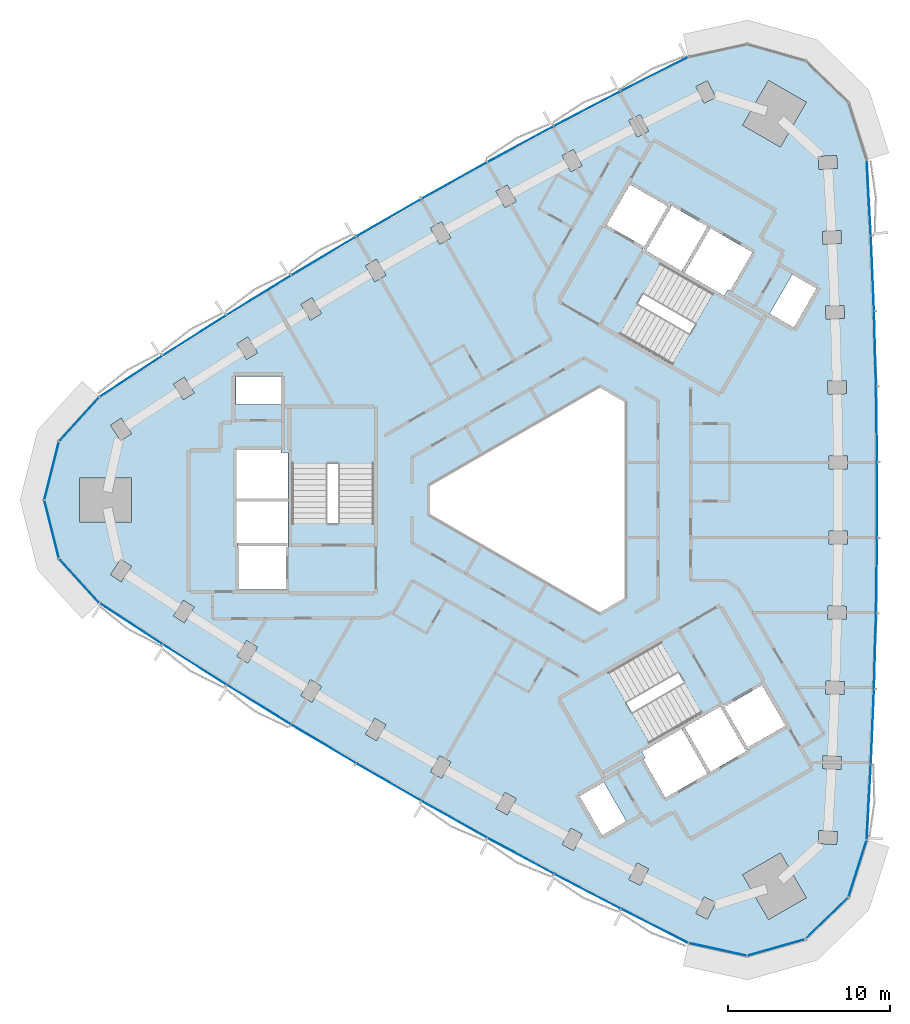
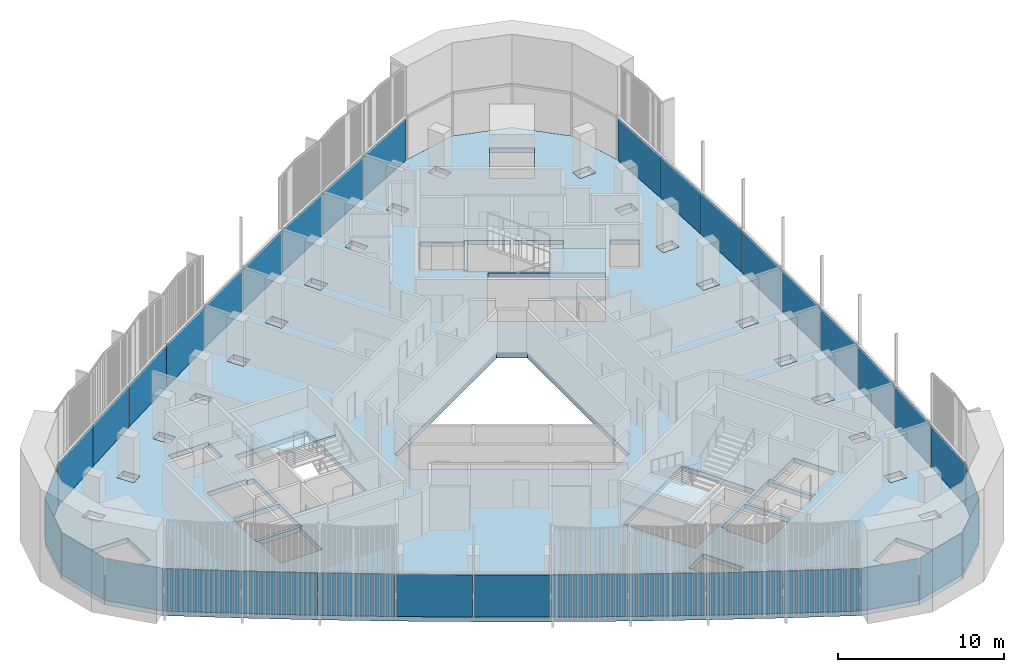
# One storey, part 6 of 14: 35 plates, 4 slabs, 6 elements without a shape of their own.
"""IFC4 building model written with IfcOpenShell, lengths in metres."""

from ifc_helpers import new_model, si_unit, direction, frame, origin, origin_2d, place, context, subcontext, project, spatial, polyline, rectangle, outline, extrude, material, layer, layer_set, type_object, element, aggregate, save


model = new_model("IFC4")

# Units and contexts
model_context = context("Model", 3, precision=1e-05, world=origin(), true_north=direction((0.0, 1.0)))
body_context = subcontext(model_context, "Body", "Model", "MODEL_VIEW")
ifc_project = project(units=[si_unit("LENGTHUNIT", "METRE"), si_unit("AREAUNIT", "SQUARE_METRE"), si_unit("VOLUMEUNIT", "CUBIC_METRE"), si_unit("PLANEANGLEUNIT", "RADIAN"), si_unit("MASSUNIT", "GRAM", prefix="KILO")], contexts=[model_context])

# Site, building, storey
site_placement = place(None, origin())
site = spatial("IfcSite", under=ifc_project, at=site_placement, CompositionType="ELEMENT")
building_placement = place(site_placement, origin())
building = spatial("IfcBuilding", under=site, at=building_placement, Name="Tamra Quay Hotel Tower", CompositionType="ELEMENT")
storey_placement = place(building_placement, frame((0.0, 0.0, 197.199951171875)))
storey = spatial("IfcBuildingStorey", under=building, at=storey_placement, Name="L49", CompositionType="ELEMENT", Elevation=197.199951171875)

# Stair, slab
ifc_material_1 = material(Name="Exit stair 2200 24 risers 150.0 going 342")
stair_type = type_object("IfcStairType", Name="Exit stair 2200 24 risers 150.0 going 342", PredefinedType="HALF_TURN_STAIR", material=ifc_material_1)
stair_1_placement = place(storey_placement, origin())
stair_1 = element("IfcStair", 1, at=stair_1_placement, inside=storey, type_object=stair_type, Name="L49 Exit stair ST3", PredefinedType="HALF_TURN_STAIR")
ifc_material_2 = material(Name="Concrete M70", Category="concrete")
ifc_layer_1 = layer(ifc_material_2, 0.175048828125)
ifc_layer_set_1 = layer_set([ifc_layer_1], Name="Concrete M70 stair landing 180")
slab_type_1 = type_object("IfcSlabType", Name="Concrete M70 stair landing 180", PredefinedType="LANDING", material=ifc_layer_set_1)
slab_1_placement = place(storey_placement, frame((0.0, 0.0, 1.625)))
slab_1 = element("IfcSlab", 2, at=slab_1_placement, type_object=slab_type_1, Name="ST3 landing 1", PredefinedType="LANDING", context=body_context, shape_type="SweptSolid", body=[
    extrude(outline(polyline([(-10.932373046875, 2.261962890625), (-10.932373046875, 5.679931640625), (-16.09130859375, 5.679931640625), (-16.09130859375, 2.261962890625), (-10.932373046875, 2.261962890625)])), origin(), (0.0, 0.0, 1.0), 0.175048828125),
])
aggregate(stair_1, [slab_1])

stair_2_placement = place(storey_placement, origin())
stair_2 = element("IfcStair", 3, at=stair_2_placement, inside=storey, type_object=stair_type, Name="L49 Exit stair ST1", PredefinedType="HALF_TURN_STAIR")
slab_2_placement = place(storey_placement, frame((0.0, 0.0, 1.625)))
slab_2 = element("IfcSlab", 4, at=slab_2_placement, type_object=slab_type_1, Name="ST1 landing 1", PredefinedType="LANDING", context=body_context, shape_type="SweptSolid", body=[
    extrude(outline(polyline([(7.425048828125, 8.336669921875), (10.385009765625, 6.627685546875), (12.964599609375, 11.095458984375), (10.00439453125, 12.804443359375), (7.425048828125, 8.336669921875)])), origin(), (0.0, 0.0, 1.0), 0.175048828125),
])
aggregate(stair_2, [slab_2])

stair_3_placement = place(storey_placement, origin())
stair_3 = element("IfcStair", 5, at=stair_3_placement, inside=storey, type_object=stair_type, Name="L49 Exit stair ST2", PredefinedType="HALF_TURN_STAIR")
slab_3_placement = place(storey_placement, frame((0.0, 0.0, 1.625)))
slab_3 = element("IfcSlab", 6, at=slab_3_placement, type_object=slab_type_1, Name="ST2 landing 1", PredefinedType="LANDING", context=body_context, shape_type="SweptSolid", body=[
    extrude(outline(polyline([(3.50732421875, -10.5986328125), (0.547119140625, -12.3076171875), (3.126708984375, -16.775390625), (6.086669921875, -15.06640625), (3.50732421875, -10.5986328125)])), origin(), (0.0, 0.0, 1.0), 0.175048828125),
])
aggregate(stair_3, [slab_3])

# Slab
ifc_material_3 = material(Name="Concrete M60", Category="concrete")
ifc_layer_2 = layer(ifc_material_3, 0.35009765625)
ifc_layer_set_2 = layer_set([ifc_layer_2], Name="FLOOR SLAB PT 350")
slab_type_2 = type_object("IfcSlabType", Name="FLOOR SLAB PT 350", PredefinedType="FLOOR", material=ifc_layer_set_2)
slab_4_placement = place(storey_placement, frame((0.0, 0.0, -0.349853515625)))
element("IfcSlab", 7, at=slab_4_placement, inside=storey, type_object=slab_type_2, Name="SLAB-L49", PredefinedType="FLOOR", context=body_context, shape_type="SweptSolid", body=[
    extrude(outline(polyline([(19.734619140625, 16.342041015625), (19.9287109375, 11.6748046875), (20.058349609375, 7.006591796875), (20.123291015625, 2.335693359375), (20.123291015625, -2.335693359375), (20.058349609375, -7.006591796875), (19.9287109375, -11.6748046875), (19.734619140625, -16.342041015625), (19.4755859375, -21.00537109375), (18.345703125, -24.553466796875), (15.67236328125, -27.1455078125), (12.091064453125, -28.164794921875), (8.453369140625, -27.369140625), (4.285400390625, -25.261474609375), (0.146240234375, -23.09619140625), (-3.961181640625, -20.87451171875), (-8.038818359375, -18.59521484375), (-12.08447265625, -16.259521484375), (-16.09716796875, -13.86767578125), (-20.074951171875, -11.42138671875), (-24.019775390625, -8.91943359375), (-27.928955078125, -6.36376953125), (-30.436767578125, -3.611083984375), (-31.3447265625, 0.0), (-30.436767578125, 3.611083984375), (-27.928955078125, 6.36376953125), (-24.019775390625, 8.91943359375), (-20.074951171875, 11.42138671875), (-16.09716796875, 13.86767578125), (-12.08447265625, 16.259521484375), (-8.038818359375, 18.59521484375), (-3.961181640625, 20.87451171875), (0.146240234375, 23.09619140625), (4.285400390625, 25.261474609375), (8.453369140625, 27.369140625), (12.091064453125, 28.164794921875), (15.67236328125, 27.1455078125), (18.345703125, 24.553466796875), (19.4755859375, 21.00537109375), (19.734619140625, 16.342041015625)]), holes=[polyline([(-11.500244140625, -14.4736328125), (-10.810302734375, -14.87841796875), (-10.228271484375, -13.88671875), (-10.918212890625, -13.481689453125), (-11.500244140625, -14.4736328125)]), polyline([(-14.89208984375, -11.106689453125), (-15.488037109375, -12.09033203125), (-14.8037109375, -12.5048828125), (-14.207763671875, -11.521240234375), (-14.89208984375, -11.106689453125)]), polyline([(-18.83349609375, -8.6767578125), (-19.4423828125, -9.65234375), (-18.763916015625, -10.075927734375), (-18.15478515625, -9.100341796875), (-18.83349609375, -8.6767578125)]), polyline([(-23.362548828125, -7.159423828125), (-22.689697265625, -7.59228515625), (-22.0673828125, -6.62548828125), (-22.739990234375, -6.1923828125), (-23.362548828125, -7.159423828125)]), polyline([(-26.6123046875, -3.654296875), (-27.247802734375, -4.612548828125), (-26.5810546875, -5.0546875), (-25.945556640625, -4.096435546875), (-26.6123046875, -3.654296875)]), polyline([(-16.3173828125, -2.85498046875), (-19.4072265625, -2.85498046875), (-19.4072265625, -2.89306640625), (-19.307373046875, -2.89306640625), (-19.307373046875, -5.544921875), (-16.417236328125, -5.544921875), (-16.417236328125, -2.89306640625), (-16.3173828125, -2.89306640625), (-16.3173828125, -2.85498046875)]), polyline([(-19.417236328125, -2.64501953125), (-16.307373046875, -2.64501953125), (-16.307373046875, -2.89306640625), (-16.26708984375, -2.89306640625), (-16.26708984375, -0.10498046875), (-19.45751953125, -0.10498046875), (-19.45751953125, -2.89306640625), (-19.417236328125, -2.89306640625), (-19.417236328125, -2.64501953125)]), polyline([(-25.958984375, 1.35009765625), (-29.158935546875, 1.35009765625), (-29.158935546875, -1.35009765625), (-25.958984375, -1.35009765625), (-25.958984375, 1.35009765625)]), polyline([(-16.26708984375, 2.945068359375), (-16.707275390625, 2.945068359375), (-16.707275390625, 3.09521484375), (-19.45751953125, 3.09521484375), (-19.45751953125, 0.10498046875), (-16.26708984375, 0.10498046875), (-16.26708984375, 2.945068359375)]), polyline([(-10.9873046875, -1.455078125), (-10.9873046875, 5.625), (-16.036376953125, 5.625), (-16.036376953125, -1.455078125), (-10.9873046875, -1.455078125)]), polyline([(-25.945556640625, 4.096435546875), (-26.5810546875, 5.0546875), (-27.247802734375, 4.612548828125), (-26.6123046875, 3.654296875), (-25.945556640625, 4.096435546875)]), polyline([(-16.71728515625, 7.64501953125), (-19.50732421875, 7.64501953125), (-19.50732421875, 5.9150390625), (-16.71728515625, 5.9150390625), (-16.71728515625, 7.64501953125)]), polyline([(-22.689697265625, 7.59228515625), (-23.362548828125, 7.159423828125), (-22.739990234375, 6.1923828125), (-22.0673828125, 6.62548828125), (-22.689697265625, 7.59228515625)]), polyline([(-18.15478515625, 9.100341796875), (-18.763916015625, 10.075927734375), (-19.4423828125, 9.65234375), (-18.83349609375, 8.6767578125), (-18.15478515625, 9.100341796875)]), polyline([(-14.207763671875, 11.521240234375), (-14.8037109375, 12.5048828125), (-15.488037109375, 12.09033203125), (-14.89208984375, 11.106689453125), (-14.207763671875, 11.521240234375)]), polyline([(-10.810302734375, 14.87841796875), (-11.500244140625, 14.4736328125), (-10.918212890625, 13.481689453125), (-10.228271484375, 13.88671875), (-10.810302734375, 14.87841796875)]), polyline([(-6.21630859375, 16.196533203125), (-6.784423828125, 17.1962890625), (-7.47998046875, 16.80126953125), (-6.912109375, 15.801513671875), (-6.21630859375, 16.196533203125)]), polyline([(9.42529296875, -24.517578125), (8.9130859375, -25.547119140625), (9.629150390625, -25.903564453125), (10.141357421875, -24.8740234375), (9.42529296875, -24.517578125)]), polyline([(4.76953125, -23.4462890625), (5.48095703125, -23.812255859375), (6.007080078125, -22.78955078125), (5.2958984375, -22.423583984375), (4.76953125, -23.4462890625)]), polyline([(1.196533203125, -20.272705078125), (0.656005859375, -21.28759765625), (1.362060546875, -21.663818359375), (1.902587890625, -20.648681640625), (1.196533203125, -20.272705078125)]), polyline([(1.73779296875, -18.300048828125), (3.1328125, -20.71630859375), (4.631103515625, -19.851318359375), (3.236083984375, -17.43505859375), (1.73779296875, -18.300048828125)]), polyline([(-3.427734375, -19.072998046875), (-2.7265625, -19.458251953125), (-2.172607421875, -18.4501953125), (-2.873779296875, -18.06494140625), (-3.427734375, -19.072998046875)]), polyline([(-6.912109375, -15.801513671875), (-7.47998046875, -16.80126953125), (-6.784423828125, -17.1962890625), (-6.21630859375, -16.196533203125), (-6.912109375, -15.801513671875)]), polyline([(5.5830078125, -15.560302734375), (5.80322265625, -15.94140625), (5.673095703125, -16.0166015625), (7.04833984375, -18.398193359375), (9.6376953125, -16.903076171875), (8.042724609375, -14.14013671875), (5.5830078125, -15.560302734375)]), polyline([(11.999267578125, -15.493408203125), (10.4443359375, -12.800048828125), (10.6591796875, -12.676025390625), (10.63916015625, -12.64111328125), (8.224609375, -14.03515625), (9.819580078125, -16.798095703125), (12.234130859375, -15.404052734375), (12.214111328125, -15.369384765625), (11.999267578125, -15.493408203125)]), polyline([(9.2783203125, -13.160400390625), (6.75390625, -8.78759765625), (0.622314453125, -12.32763671875), (3.146728515625, -16.7001953125), (9.2783203125, -13.160400390625)]), polyline([(3.0, 7.043701171875), (-7.60009765625, 0.923828125), (-7.60009765625, -0.923828125), (3.0, -7.043701171875), (4.60009765625, -6.119873046875), (4.60009765625, 6.119873046875), (3.0, 7.043701171875)]), polyline([(4.2333984375, 10.242919921875), (10.364990234375, 6.702880859375), (12.889404296875, 11.075439453125), (6.758056640625, 14.615478515625), (4.2333984375, 10.242919921875)]), polyline([(7.203125, 18.262451171875), (7.41796875, 18.138427734375), (5.863037109375, 15.445068359375), (5.648193359375, 15.569091796875), (5.628173828125, 15.5341796875), (8.04248046875, 14.140380859375), (9.6376953125, 16.903076171875), (7.22314453125, 18.297119140625), (7.203125, 18.262451171875)]), polyline([(5.68603515625, 15.55859375), (7.231201171875, 18.234619140625), (7.1982421875, 18.253662109375), (7.148193359375, 18.1669921875), (4.8515625, 19.4931640625), (3.406494140625, 16.990234375), (5.703125, 15.664306640625), (5.6533203125, 15.57763671875), (5.68603515625, 15.55859375)]), polyline([(-2.7265625, 19.458251953125), (-3.427734375, 19.072998046875), (-2.873779296875, 18.06494140625), (-2.172607421875, 18.4501953125), (-2.7265625, 19.458251953125)]), polyline([(1.902587890625, 20.648681640625), (1.362060546875, 21.663818359375), (0.656005859375, 21.28759765625), (1.196533203125, 20.272705078125), (1.902587890625, 20.648681640625)]), polyline([(6.007080078125, 22.78955078125), (5.48095703125, 23.812255859375), (4.76953125, 23.4462890625), (5.2958984375, 22.423583984375), (6.007080078125, 22.78955078125)]), polyline([(9.629150390625, 25.903564453125), (8.9130859375, 25.547119140625), (9.42529296875, 24.517578125), (10.141357421875, 24.8740234375), (9.629150390625, 25.903564453125)]), polyline([(11.810302734375, -23.15625), (13.410400390625, -25.927490234375), (15.74853515625, -24.577392578125), (14.148681640625, -21.80615234375), (11.810302734375, -23.15625)]), polyline([(16.470703125, -21.2197265625), (17.61865234375, -21.291015625), (17.668212890625, -20.492431640625), (16.5205078125, -20.42138671875), (16.470703125, -21.2197265625)]), polyline([(17.881591796875, -16.65283203125), (17.920166015625, -15.853759765625), (16.771484375, -15.798095703125), (16.73291015625, -16.59716796875), (17.881591796875, -16.65283203125)]), polyline([(10.631103515625, -12.70361328125), (12.176025390625, -15.379638671875), (12.208984375, -15.360595703125), (12.1591796875, -15.274169921875), (14.455810546875, -13.947998046875), (13.0107421875, -11.4453125), (10.714111328125, -12.771240234375), (10.6640625, -12.6845703125), (10.631103515625, -12.70361328125)]), polyline([(16.930908203125, -11.971923828125), (18.080322265625, -12.011474609375), (18.10791015625, -11.2119140625), (16.95849609375, -11.172607421875), (16.930908203125, -11.971923828125)]), polyline([(18.214599609375, -7.367919921875), (18.2314453125, -6.568115234375), (17.081787109375, -6.543701171875), (17.064697265625, -7.343505859375), (18.214599609375, -7.367919921875)]), polyline([(17.134765625, -2.714599609375), (18.28466796875, -2.72265625), (18.290283203125, -1.9228515625), (17.140380859375, -1.914794921875), (17.134765625, -2.714599609375)]), polyline([(17.140380859375, 1.914794921875), (18.290283203125, 1.9228515625), (18.28466796875, 2.72265625), (17.134765625, 2.714599609375), (17.140380859375, 1.914794921875)]), polyline([(18.2314453125, 6.568115234375), (18.214599609375, 7.367919921875), (17.064697265625, 7.343505859375), (17.081787109375, 6.543701171875), (18.2314453125, 6.568115234375)]), polyline([(16.95849609375, 11.172607421875), (18.10791015625, 11.2119140625), (18.080322265625, 12.011474609375), (16.930908203125, 11.971923828125), (16.95849609375, 11.172607421875)]), polyline([(14.9794921875, 10.655029296875), (16.37451171875, 13.0712890625), (14.876220703125, 13.936279296875), (13.481201171875, 11.52001953125), (14.9794921875, 10.655029296875)]), polyline([(10.68408203125, 12.615234375), (10.904052734375, 12.996337890625), (11.0341796875, 12.92138671875), (12.4091796875, 15.302978515625), (9.819580078125, 16.798095703125), (8.224365234375, 14.035400390625), (10.68408203125, 12.615234375)]), polyline([(16.771484375, 15.798095703125), (17.920166015625, 15.853759765625), (17.881591796875, 16.65283203125), (16.73291015625, 16.59716796875), (16.771484375, 15.798095703125)]), polyline([(16.5205078125, 20.42138671875), (17.668212890625, 20.492431640625), (17.61865234375, 21.291015625), (16.470703125, 21.2197265625), (16.5205078125, 20.42138671875)]), polyline([(14.148681640625, 21.80615234375), (15.74853515625, 24.577392578125), (13.410400390625, 25.927490234375), (11.810302734375, 23.15625), (14.148681640625, 21.80615234375)])]), origin(), (0.0, 0.0, 1.0), 0.349853515625),
])

# Curtain wall, plates
ifc_material_4 = material(Name="Aluminium 6063 anodised dark grey", Category="aluminium")
curtain_wall_type_1 = type_object("IfcCurtainWallType", Name="CW1 CURTAIN WALL", PredefinedType="NOTDEFINED", material=ifc_material_4)
curtain_wall_1_placement = place(storey_placement, origin())
curtain_wall_1 = element("IfcCurtainWall", 8, at=curtain_wall_1_placement, inside=storey, type_object=curtain_wall_type_1, Name="CW1 east face L49", PredefinedType="NOTDEFINED")
ifc_material_5 = material(Name="Glass clear laminated low-iron", Category="glass")
ifc_layer_3 = layer(ifc_material_5, 0.030029296875)
ifc_layer_set_3 = layer_set([ifc_layer_3], Name="GLASS PANEL CW1 Z4")
plate_type_1 = type_object("IfcPlateType", Name="GLASS PANEL CW1 Z4", PredefinedType="CURTAIN_PANEL", material=ifc_layer_set_3)
plate_1_placement = place(storey_placement, frame((19.60498046875, -18.673583984375, 0.0), z_axis=(0.0, 0.0, 1.0), x_axis=(0.055416308058, 0.998463335732, 0.0)))
plate_1 = element("IfcPlate", 9, at=plate_1_placement, type_object=plate_type_1, Name="CW1 glass L49.E.1", PredefinedType="CURTAIN_PANEL", context=body_context, shape_type="SweptSolid", body=[
    extrude(rectangle(XDim=4.570556640625, YDim=0.030029296875, at=origin_2d()), origin(), (0.0, 0.0, 1.0), 3.110107421875),
])
plate_2_placement = place(storey_placement, frame((19.83154296875, -14.00830078125, 0.0), z_axis=(0.0, 0.0, 1.0), x_axis=(0.041599153709, 0.999134380557, 0.0)))
plate_2 = element("IfcPlate", 10, at=plate_2_placement, type_object=plate_type_1, Name="CW1 glass L49.E.2", PredefinedType="CURTAIN_PANEL", context=body_context, shape_type="SweptSolid", body=[
    extrude(rectangle(XDim=4.5712890625, YDim=0.030029296875, at=origin_2d()), origin(), (0.0, 0.0, 1.0), 3.110107421875),
])
plate_3_placement = place(storey_placement, frame((19.99365234375, -9.340576171875, 0.0), z_axis=(0.0, 0.0, 1.0), x_axis=(0.027753587392, 0.999614795002, 0.0)))
plate_3 = element("IfcPlate", 11, at=plate_3_placement, type_object=plate_type_1, Name="CW1 glass L49.E.3", PredefinedType="CURTAIN_PANEL", context=body_context, shape_type="SweptSolid", body=[
    extrude(rectangle(XDim=4.56982421875, YDim=0.030029296875, at=origin_2d()), origin(), (0.0, 0.0, 1.0), 3.110107421875),
])
plate_4_placement = place(storey_placement, frame((20.0908203125, -4.671142578125, 0.0), z_axis=(0.0, 0.0, 1.0), x_axis=(0.013886463743, 0.999903578414, 0.0)))
plate_4 = element("IfcPlate", 12, at=plate_4_placement, type_object=plate_type_1, Name="CW1 glass L49.E.4", PredefinedType="CURTAIN_PANEL", context=body_context, shape_type="SweptSolid", body=[
    extrude(rectangle(XDim=4.571533203125, YDim=0.030029296875, at=origin_2d()), origin(), (0.0, 0.0, 1.0), 3.110107421875),
])
plate_5_placement = place(storey_placement, frame((20.123291015625, 0.0, 0.0), z_axis=(0.0, 0.0, 1.0), x_axis=(0.0, 1.0, 0.0)))
plate_5 = element("IfcPlate", 13, at=plate_5_placement, type_object=plate_type_1, Name="CW1 glass L49.E.5", PredefinedType="CURTAIN_PANEL", context=body_context, shape_type="SweptSolid", body=[
    extrude(rectangle(XDim=4.571533203125, YDim=0.030029296875, at=origin_2d()), origin(), (0.0, 0.0, 1.0), 3.110107421875),
])
plate_6_placement = place(storey_placement, frame((20.0908203125, 4.671142578125, 0.0), z_axis=(0.0, 0.0, 1.0), x_axis=(-0.013886463743, 0.999903578414, 0.0)))
plate_6 = element("IfcPlate", 14, at=plate_6_placement, type_object=plate_type_1, Name="CW1 glass L49.E.6", PredefinedType="CURTAIN_PANEL", context=body_context, shape_type="SweptSolid", body=[
    extrude(rectangle(XDim=4.571533203125, YDim=0.030029296875, at=origin_2d()), origin(), (0.0, 0.0, 1.0), 3.110107421875),
])
plate_7_placement = place(storey_placement, frame((19.99365234375, 9.340576171875, 0.0), z_axis=(0.0, 0.0, 1.0), x_axis=(-0.027753587392, 0.999614795002, 0.0)))
plate_7 = element("IfcPlate", 15, at=plate_7_placement, type_object=plate_type_1, Name="CW1 glass L49.E.7", PredefinedType="CURTAIN_PANEL", context=body_context, shape_type="SweptSolid", body=[
    extrude(rectangle(XDim=4.56982421875, YDim=0.030029296875, at=origin_2d()), origin(), (0.0, 0.0, 1.0), 3.110107421875),
])
plate_8_placement = place(storey_placement, frame((19.83154296875, 14.00830078125, 0.0), z_axis=(0.0, 0.0, 1.0), x_axis=(-0.041599153709, 0.999134380557, 0.0)))
plate_8 = element("IfcPlate", 16, at=plate_8_placement, type_object=plate_type_1, Name="CW1 glass L49.E.8", PredefinedType="CURTAIN_PANEL", context=body_context, shape_type="SweptSolid", body=[
    extrude(rectangle(XDim=4.5712890625, YDim=0.030029296875, at=origin_2d()), origin(), (0.0, 0.0, 1.0), 3.110107421875),
])
plate_9_placement = place(storey_placement, frame((19.60498046875, 18.673583984375, 0.0), z_axis=(0.0, 0.0, 1.0), x_axis=(-0.055416308058, 0.998463335732, 0.0)))
plate_9 = element("IfcPlate", 17, at=plate_9_placement, type_object=plate_type_1, Name="CW1 glass L49.E.9", PredefinedType="CURTAIN_PANEL", context=body_context, shape_type="SweptSolid", body=[
    extrude(rectangle(XDim=4.570556640625, YDim=0.030029296875, at=origin_2d()), origin(), (0.0, 0.0, 1.0), 3.110107421875),
])
aggregate(curtain_wall_1, [plate_1, plate_2, plate_3, plate_4, plate_5, plate_6, plate_7, plate_8, plate_9])

curtain_wall_type_2 = type_object("IfcCurtainWallType", Name="CW2 CURTAIN WALL", PredefinedType="NOTDEFINED", material=ifc_material_4)
curtain_wall_2_placement = place(storey_placement, origin())
curtain_wall_2 = element("IfcCurtainWall", 18, at=curtain_wall_2_placement, inside=storey, type_object=curtain_wall_type_2, Name="CW2 north-west face L49", PredefinedType="NOTDEFINED")
ifc_layer_4 = layer(ifc_material_5, 0.030029296875)
ifc_layer_set_4 = layer_set([ifc_layer_4], Name="GLASS PANEL CW2 Z4")
plate_type_2 = type_object("IfcPlateType", Name="GLASS PANEL CW2 Z4", PredefinedType="CURTAIN_PANEL", material=ifc_layer_set_4)
plate_10_placement = place(storey_placement, frame((6.369384765625, 26.3154296875, 0.0), z_axis=(0.0, 0.0, 1.0), x_axis=(-0.89240276752, -0.451239737304, 0.0)))
plate_10 = element("IfcPlate", 19, at=plate_10_placement, type_object=plate_type_2, Name="CW2 glass L49.NW.1", PredefinedType="CURTAIN_PANEL", context=body_context, shape_type="SweptSolid", body=[
    extrude(rectangle(XDim=4.570556640625, YDim=0.030029296875, at=origin_2d()), origin(), (0.0, 0.0, 1.0), 3.110107421875),
])
plate_11_placement = place(storey_placement, frame((2.2158203125, 24.178955078125, 0.0), z_axis=(0.0, 0.0, 1.0), x_axis=(-0.886075332211, -0.46354126639, 0.0)))
plate_11 = element("IfcPlate", 20, at=plate_11_placement, type_object=plate_type_2, Name="CW2 glass L49.NW.2", PredefinedType="CURTAIN_PANEL", context=body_context, shape_type="SweptSolid", body=[
    extrude(rectangle(XDim=4.5712890625, YDim=0.030029296875, at=origin_2d()), origin(), (0.0, 0.0, 1.0), 3.110107421875),
])
plate_12_placement = place(storey_placement, frame((-1.907470703125, 21.9853515625, 0.0), z_axis=(0.0, 0.0, 1.0), x_axis=(-0.879568600166, -0.475772085773, 0.0)))
plate_12 = element("IfcPlate", 21, at=plate_12_placement, type_object=plate_type_2, Name="CW2 glass L49.NW.3", PredefinedType="CURTAIN_PANEL", context=body_context, shape_type="SweptSolid", body=[
    extrude(rectangle(XDim=4.56982421875, YDim=0.030029296875, at=origin_2d()), origin(), (0.0, 0.0, 1.0), 3.110107421875),
])
plate_13_placement = place(storey_placement, frame((-6.0, 19.73486328125, 0.0), z_axis=(0.0, 0.0, 1.0), x_axis=(-0.872885132113, -0.487925758836, 0.0)))
plate_13 = element("IfcPlate", 22, at=plate_13_placement, type_object=plate_type_2, Name="CW2 glass L49.NW.4", PredefinedType="CURTAIN_PANEL", context=body_context, shape_type="SweptSolid", body=[
    extrude(rectangle(XDim=4.571533203125, YDim=0.030029296875, at=origin_2d()), origin(), (0.0, 0.0, 1.0), 3.110107421875),
])
plate_14_placement = place(storey_placement, frame((-10.0615234375, 17.42724609375, 0.0), z_axis=(0.0, 0.0, 1.0), x_axis=(-0.866025403784, -0.5, 0.0)))
plate_14 = element("IfcPlate", 23, at=plate_14_placement, type_object=plate_type_2, Name="CW2 glass L49.NW.5", PredefinedType="CURTAIN_PANEL", context=body_context, shape_type="SweptSolid", body=[
    extrude(rectangle(XDim=4.571533203125, YDim=0.030029296875, at=origin_2d()), origin(), (0.0, 0.0, 1.0), 3.110107421875),
])
plate_15_placement = place(storey_placement, frame((-14.0908203125, 15.0634765625, 0.0), z_axis=(0.0, 0.0, 1.0), x_axis=(-0.85899866837, -0.511977819577, 0.0)))
plate_15 = element("IfcPlate", 24, at=plate_15_placement, type_object=plate_type_2, Name="CW2 glass L49.NW.6", PredefinedType="CURTAIN_PANEL", context=body_context, shape_type="SweptSolid", body=[
    extrude(rectangle(XDim=4.571533203125, YDim=0.030029296875, at=origin_2d()), origin(), (0.0, 0.0, 1.0), 3.110107421875),
])
plate_16_placement = place(storey_placement, frame((-18.0859375, 12.64453125, 0.0), z_axis=(0.0, 0.0, 1.0), x_axis=(-0.851815012775, -0.523842709229, 0.0)))
plate_16 = element("IfcPlate", 25, at=plate_16_placement, type_object=plate_type_2, Name="CW2 glass L49.NW.7", PredefinedType="CURTAIN_PANEL", context=body_context, shape_type="SweptSolid", body=[
    extrude(rectangle(XDim=4.56982421875, YDim=0.030029296875, at=origin_2d()), origin(), (0.0, 0.0, 1.0), 3.110107421875),
])
plate_17_placement = place(storey_placement, frame((-22.04736328125, 10.17041015625, 0.0), z_axis=(0.0, 0.0, 1.0), x_axis=(-0.844476178502, -0.535593114167, 0.0)))
plate_17 = element("IfcPlate", 26, at=plate_17_placement, type_object=plate_type_2, Name="CW2 glass L49.NW.8", PredefinedType="CURTAIN_PANEL", context=body_context, shape_type="SweptSolid", body=[
    extrude(rectangle(XDim=4.5712890625, YDim=0.030029296875, at=origin_2d()), origin(), (0.0, 0.0, 1.0), 3.110107421875),
])
plate_18_placement = place(storey_placement, frame((-25.974365234375, 7.6416015625, 0.0), z_axis=(0.0, 0.0, 1.0), x_axis=(-0.836986459463, -0.547223598428, 0.0)))
plate_18 = element("IfcPlate", 27, at=plate_18_placement, type_object=plate_type_2, Name="CW2 glass L49.NW.9", PredefinedType="CURTAIN_PANEL", context=body_context, shape_type="SweptSolid", body=[
    extrude(rectangle(XDim=4.570556640625, YDim=0.030029296875, at=origin_2d()), origin(), (0.0, 0.0, 1.0), 3.110107421875),
])
plate_19_placement = place(storey_placement, frame((-29.182861328125, 4.987548828125, 0.0), z_axis=(0.0, 0.0, 1.0), x_axis=(-0.673495681519, -0.739191157262, 0.0)))
plate_19 = element("IfcPlate", 28, at=plate_19_placement, type_object=plate_type_2, Name="CW2 glass L49.NW.10", PredefinedType="CURTAIN_PANEL", context=body_context, shape_type="SweptSolid", body=[
    extrude(rectangle(XDim=3.62353515625, YDim=0.030029296875, at=origin_2d()), origin(), (0.0, 0.0, 1.0), 3.110107421875),
])
plate_20_placement = place(storey_placement, frame((-30.890869140625, 1.8056640625, 0.0), z_axis=(0.0, 0.0, 1.0), x_axis=(-0.243826260198, -0.969818928892, 0.0)))
plate_20 = element("IfcPlate", 29, at=plate_20_placement, type_object=plate_type_2, Name="CW2 glass L49.NW.11", PredefinedType="CURTAIN_PANEL", context=body_context, shape_type="SweptSolid", body=[
    extrude(rectangle(XDim=3.62353515625, YDim=0.030029296875, at=origin_2d()), origin(), (0.0, 0.0, 1.0), 3.110107421875),
])
plate_21_placement = place(storey_placement, frame((-30.890869140625, -1.8056640625, 0.0), z_axis=(0.0, 0.0, 1.0), x_axis=(0.243826260198, -0.969818928892, 0.0)))
plate_21 = element("IfcPlate", 30, at=plate_21_placement, type_object=plate_type_2, Name="CW2 glass L49.NW.12", PredefinedType="CURTAIN_PANEL", context=body_context, shape_type="SweptSolid", body=[
    extrude(rectangle(XDim=3.62353515625, YDim=0.030029296875, at=origin_2d()), origin(), (0.0, 0.0, 1.0), 3.110107421875),
])
plate_22_placement = place(storey_placement, frame((-29.182861328125, -4.987548828125, 0.0), z_axis=(0.0, 0.0, 1.0), x_axis=(0.673495681519, -0.739191157262, 0.0)))
plate_22 = element("IfcPlate", 31, at=plate_22_placement, type_object=plate_type_2, Name="CW2 glass L49.NW.13", PredefinedType="CURTAIN_PANEL", context=body_context, shape_type="SweptSolid", body=[
    extrude(rectangle(XDim=3.62353515625, YDim=0.030029296875, at=origin_2d()), origin(), (0.0, 0.0, 1.0), 3.110107421875),
])
aggregate(curtain_wall_2, [plate_10, plate_11, plate_12, plate_13, plate_14, plate_15, plate_16, plate_17, plate_18, plate_19, plate_20, plate_21, plate_22])

curtain_wall_type_3 = type_object("IfcCurtainWallType", Name="CW3 CURTAIN WALL", PredefinedType="NOTDEFINED", material=ifc_material_4)
curtain_wall_3_placement = place(storey_placement, origin())
curtain_wall_3 = element("IfcCurtainWall", 32, at=curtain_wall_3_placement, inside=storey, type_object=curtain_wall_type_3, Name="CW3 south-west face L49", PredefinedType="NOTDEFINED")
ifc_layer_5 = layer(ifc_material_5, 0.030029296875)
ifc_layer_set_5 = layer_set([ifc_layer_5], Name="GLASS PANEL CW3 Z4")
plate_type_3 = type_object("IfcPlateType", Name="GLASS PANEL CW3 Z4", PredefinedType="CURTAIN_PANEL", material=ifc_layer_set_5)
plate_23_placement = place(storey_placement, frame((-25.974365234375, -7.6416015625, 0.0), z_axis=(0.0, 0.0, 1.0), x_axis=(0.836986459463, -0.547223598428, 0.0)))
plate_23 = element("IfcPlate", 33, at=plate_23_placement, type_object=plate_type_3, Name="CW3 glass L49.SW.1", PredefinedType="CURTAIN_PANEL", context=body_context, shape_type="SweptSolid", body=[
    extrude(rectangle(XDim=4.570556640625, YDim=0.030029296875, at=origin_2d()), origin(), (0.0, 0.0, 1.0), 3.110107421875),
])
plate_24_placement = place(storey_placement, frame((-22.04736328125, -10.17041015625, 0.0), z_axis=(0.0, 0.0, 1.0), x_axis=(0.844476178502, -0.535593114167, 0.0)))
plate_24 = element("IfcPlate", 34, at=plate_24_placement, type_object=plate_type_3, Name="CW3 glass L49.SW.2", PredefinedType="CURTAIN_PANEL", context=body_context, shape_type="SweptSolid", body=[
    extrude(rectangle(XDim=4.5712890625, YDim=0.030029296875, at=origin_2d()), origin(), (0.0, 0.0, 1.0), 3.110107421875),
])
plate_25_placement = place(storey_placement, frame((-18.0859375, -12.64453125, 0.0), z_axis=(0.0, 0.0, 1.0), x_axis=(0.851815012775, -0.523842709229, 0.0)))
plate_25 = element("IfcPlate", 35, at=plate_25_placement, type_object=plate_type_3, Name="CW3 glass L49.SW.3", PredefinedType="CURTAIN_PANEL", context=body_context, shape_type="SweptSolid", body=[
    extrude(rectangle(XDim=4.56982421875, YDim=0.030029296875, at=origin_2d()), origin(), (0.0, 0.0, 1.0), 3.110107421875),
])
plate_26_placement = place(storey_placement, frame((-14.0908203125, -15.0634765625, 0.0), z_axis=(0.0, 0.0, 1.0), x_axis=(0.85899866837, -0.511977819577, 0.0)))
plate_26 = element("IfcPlate", 36, at=plate_26_placement, type_object=plate_type_3, Name="CW3 glass L49.SW.4", PredefinedType="CURTAIN_PANEL", context=body_context, shape_type="SweptSolid", body=[
    extrude(rectangle(XDim=4.571533203125, YDim=0.030029296875, at=origin_2d()), origin(), (0.0, 0.0, 1.0), 3.110107421875),
])
plate_27_placement = place(storey_placement, frame((-10.0615234375, -17.42724609375, 0.0), z_axis=(0.0, 0.0, 1.0), x_axis=(0.866025403784, -0.5, 0.0)))
plate_27 = element("IfcPlate", 37, at=plate_27_placement, type_object=plate_type_3, Name="CW3 glass L49.SW.5", PredefinedType="CURTAIN_PANEL", context=body_context, shape_type="SweptSolid", body=[
    extrude(rectangle(XDim=4.571533203125, YDim=0.030029296875, at=origin_2d()), origin(), (0.0, 0.0, 1.0), 3.110107421875),
])
plate_28_placement = place(storey_placement, frame((-6.0, -19.73486328125, 0.0), z_axis=(0.0, 0.0, 1.0), x_axis=(0.872885132113, -0.487925758836, 0.0)))
plate_28 = element("IfcPlate", 38, at=plate_28_placement, type_object=plate_type_3, Name="CW3 glass L49.SW.6", PredefinedType="CURTAIN_PANEL", context=body_context, shape_type="SweptSolid", body=[
    extrude(rectangle(XDim=4.571533203125, YDim=0.030029296875, at=origin_2d()), origin(), (0.0, 0.0, 1.0), 3.110107421875),
])
plate_29_placement = place(storey_placement, frame((-1.907470703125, -21.9853515625, 0.0), z_axis=(0.0, 0.0, 1.0), x_axis=(0.879568600166, -0.475772085773, 0.0)))
plate_29 = element("IfcPlate", 39, at=plate_29_placement, type_object=plate_type_3, Name="CW3 glass L49.SW.7", PredefinedType="CURTAIN_PANEL", context=body_context, shape_type="SweptSolid", body=[
    extrude(rectangle(XDim=4.56982421875, YDim=0.030029296875, at=origin_2d()), origin(), (0.0, 0.0, 1.0), 3.110107421875),
])
plate_30_placement = place(storey_placement, frame((2.2158203125, -24.178955078125, 0.0), z_axis=(0.0, 0.0, 1.0), x_axis=(0.886075332211, -0.46354126639, 0.0)))
plate_30 = element("IfcPlate", 40, at=plate_30_placement, type_object=plate_type_3, Name="CW3 glass L49.SW.8", PredefinedType="CURTAIN_PANEL", context=body_context, shape_type="SweptSolid", body=[
    extrude(rectangle(XDim=4.5712890625, YDim=0.030029296875, at=origin_2d()), origin(), (0.0, 0.0, 1.0), 3.110107421875),
])
plate_31_placement = place(storey_placement, frame((6.369384765625, -26.3154296875, 0.0), z_axis=(0.0, 0.0, 1.0), x_axis=(0.89240276752, -0.451239737304, 0.0)))
plate_31 = element("IfcPlate", 41, at=plate_31_placement, type_object=plate_type_3, Name="CW3 glass L49.SW.9", PredefinedType="CURTAIN_PANEL", context=body_context, shape_type="SweptSolid", body=[
    extrude(rectangle(XDim=4.570556640625, YDim=0.030029296875, at=origin_2d()), origin(), (0.0, 0.0, 1.0), 3.110107421875),
])
plate_32_placement = place(storey_placement, frame((10.272216796875, -27.766845703125, 0.0), z_axis=(0.0, 0.0, 1.0), x_axis=(0.976906161202, -0.213668790904, 0.0)))
plate_32 = element("IfcPlate", 42, at=plate_32_placement, type_object=plate_type_3, Name="CW3 glass L49.SW.10", PredefinedType="CURTAIN_PANEL", context=body_context, shape_type="SweptSolid", body=[
    extrude(rectangle(XDim=3.62353515625, YDim=0.030029296875, at=origin_2d()), origin(), (0.0, 0.0, 1.0), 3.110107421875),
])
plate_33_placement = place(storey_placement, frame((13.881591796875, -27.655029296875, 0.0), z_axis=(0.0, 0.0, 1.0), x_axis=(0.961800959591, 0.273749729005, 0.0)))
plate_33 = element("IfcPlate", 43, at=plate_33_placement, type_object=plate_type_3, Name="CW3 glass L49.SW.11", PredefinedType="CURTAIN_PANEL", context=body_context, shape_type="SweptSolid", body=[
    extrude(rectangle(XDim=3.62353515625, YDim=0.030029296875, at=origin_2d()), origin(), (0.0, 0.0, 1.0), 3.110107421875),
])
plate_34_placement = place(storey_placement, frame((17.009033203125, -25.849365234375, 0.0), z_axis=(0.0, 0.0, 1.0), x_axis=(0.717974699393, 0.696069199888, 0.0)))
plate_34 = element("IfcPlate", 44, at=plate_34_placement, type_object=plate_type_3, Name="CW3 glass L49.SW.12", PredefinedType="CURTAIN_PANEL", context=body_context, shape_type="SweptSolid", body=[
    extrude(rectangle(XDim=3.62353515625, YDim=0.030029296875, at=origin_2d()), origin(), (0.0, 0.0, 1.0), 3.110107421875),
])
plate_35_placement = place(storey_placement, frame((18.91064453125, -22.779541015625, 0.0), z_axis=(0.0, 0.0, 1.0), x_axis=(0.303410479682, 0.952859948166, 0.0)))
plate_35 = element("IfcPlate", 45, at=plate_35_placement, type_object=plate_type_3, Name="CW3 glass L49.SW.13", PredefinedType="CURTAIN_PANEL", context=body_context, shape_type="SweptSolid", body=[
    extrude(rectangle(XDim=3.62353515625, YDim=0.030029296875, at=origin_2d()), origin(), (0.0, 0.0, 1.0), 3.110107421875),
])
aggregate(curtain_wall_3, [plate_23, plate_24, plate_25, plate_26, plate_27, plate_28, plate_29, plate_30, plate_31, plate_32, plate_33, plate_34, plate_35])

save(model, "model.ifc")
